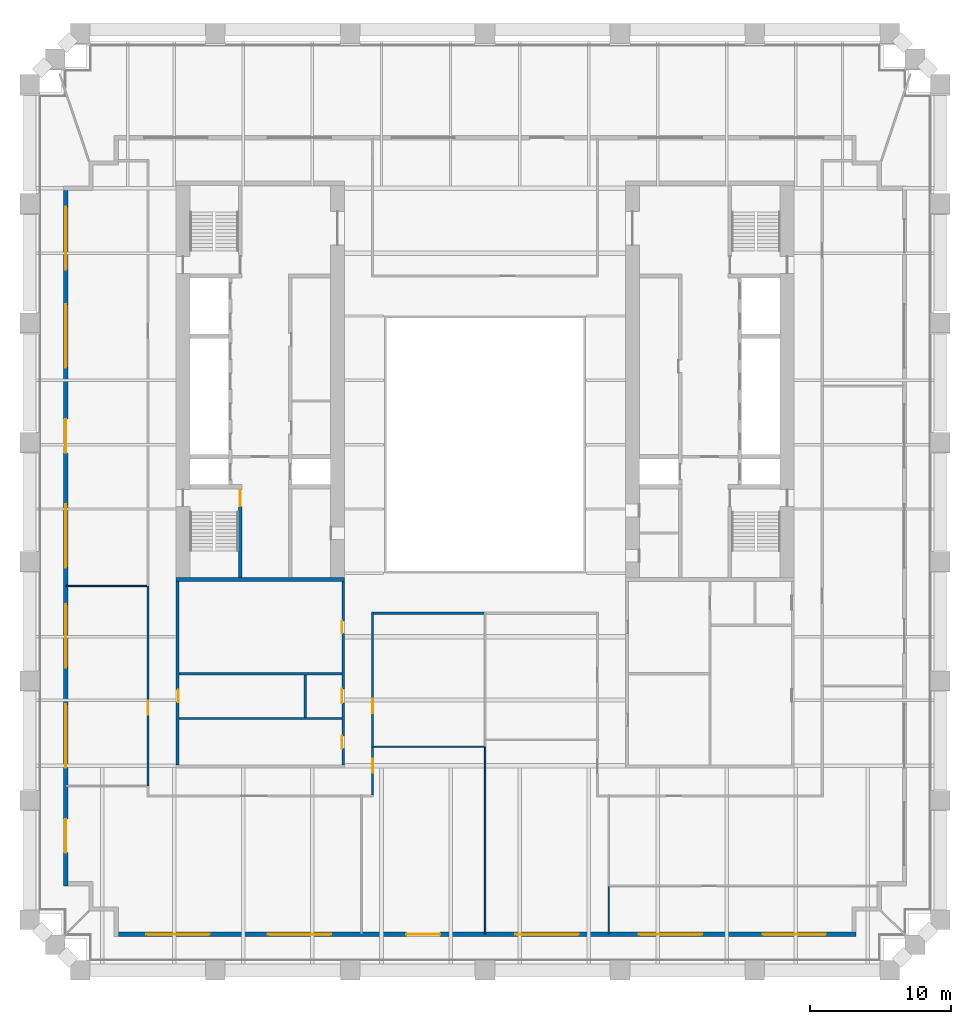
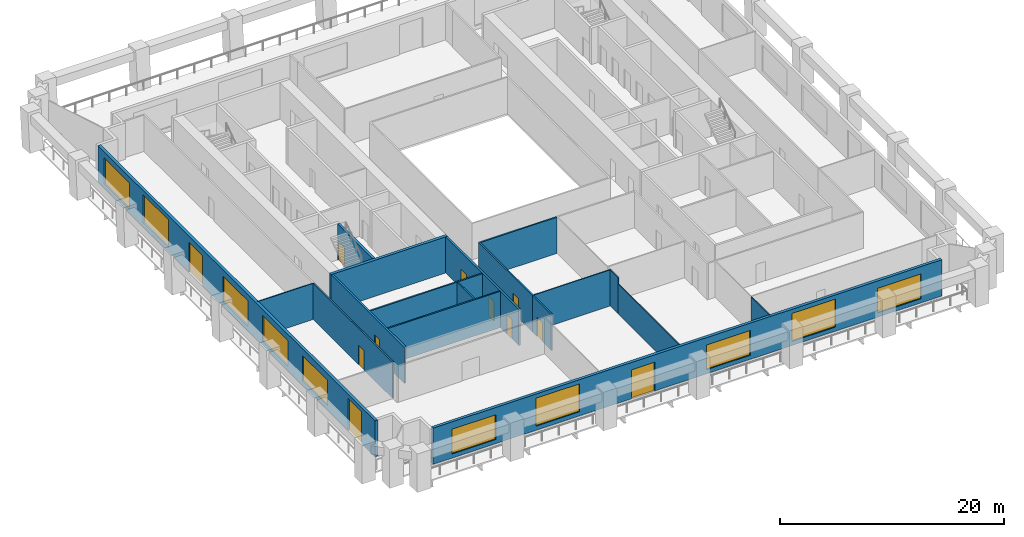
# One storey, part 3 of 9: 18 walls, 11 doors, 10 windows, 21 openings.
"""IFC4 building model written with IfcOpenShell, lengths in metres."""

from ifc_helpers import new_model, si_unit, direction, frame, frame_2d, origin, place, context, subcontext, project, spatial, rectangle, extrude, material, layer, layer_set, type_object, element, fill, save


model = new_model("IFC4")

# Units and contexts
model_context = context("Model", 3, precision=1e-05, world=origin(), true_north=direction((0.0, 1.0)))
body_context = subcontext(model_context, "Body", "Model", "MODEL_VIEW")
ifc_project = project(units=[si_unit("LENGTHUNIT", "METRE"), si_unit("AREAUNIT", "SQUARE_METRE"), si_unit("VOLUMEUNIT", "CUBIC_METRE"), si_unit("PLANEANGLEUNIT", "RADIAN"), si_unit("MASSUNIT", "GRAM", prefix="KILO")], contexts=[model_context])

# Site, building, storey
site_placement = place(None, origin())
site = spatial("IfcSite", under=ifc_project, at=site_placement, CompositionType="ELEMENT")
building_placement = place(site_placement, origin())
building = spatial("IfcBuilding", under=site, at=building_placement, Name="Ogive Exchange Tower", CompositionType="ELEMENT")
storey_placement = place(building_placement, frame((0.0, 0.0, 85.800048828125)))
storey = spatial("IfcBuildingStorey", under=building, at=storey_placement, Name="L18", CompositionType="ELEMENT", Elevation=85.800048828125)

# Walls
ifc_material_1 = material(Name="Gypsum board partition")
ifc_layer_1 = layer(ifc_material_1, 0.14990234375)
ifc_layer_set_1 = layer_set([ifc_layer_1], Name="Core room partition 150 gypsum")
wall_type_1 = type_object("IfcWallType", Name="Core room partition 150 gypsum", PredefinedType="PARTITIONING", material=ifc_layer_set_1)
for number, where, z_axis, x_axis, name in (
    (1, (-21.800048828125, -9.300048828125, 0.0), (0.0, 0.0, 1.0), (1.0, 0.0, 0.0), "W annex S cross wall"),
    (2, (-21.800048828125, -12.47509765625, 0.0), (0.0, 0.0, 1.0), (1.0, 0.0, 0.0), "W annex S wc strip wall 00"),
):
    element("IfcWall", number, at=place(storey_placement, frame(where, z_axis=z_axis, x_axis=x_axis)), inside=storey, type_object=wall_type_1, Name=name, PredefinedType="PARTITIONING", context=body_context, shape_type="SweptSolid", body=[
        extrude(rectangle(XDim=11.60009765625, YDim=0.14990234375, at=frame_2d((5.800048828125, 0.0))), origin(), (0.0, 0.0, 1.0), 3.949951171875),
    ])
wall_1_placement = place(storey_placement, frame((-12.800048828125, -12.39990234375, 0.0), z_axis=(0.0, 0.0, 1.0), x_axis=(0.0, 1.0, 0.0)))
element("IfcWall", 3, at=wall_1_placement, inside=storey, type_object=wall_type_1, Name="W annex S wc partition 00", PredefinedType="PARTITIONING", context=body_context, shape_type="SweptSolid", body=[
    extrude(rectangle(XDim=3.02490234375, YDim=0.14990234375, at=frame_2d((1.512451171875, 0.0))), origin(), (0.0, 0.0, 1.0), 3.949951171875),
])

# Wall, opening, door
ifc_material_2 = material(Name="Fire partition EI 60 150")
ifc_layer_2 = layer(ifc_material_2, 0.14990234375)
ifc_layer_set_2 = layer_set([ifc_layer_2], Name="Fire partition EI 60 150")
wall_type_2 = type_object("IfcWallType", Name="Fire partition EI 60 150", PredefinedType="PARTITIONING", material=ifc_layer_set_2)
wall_2_placement = place(storey_placement, frame((-24.0, -17.2900390625, 0.0), z_axis=(0.0, 0.0, 1.0), x_axis=(0.0, 1.0, 0.0)))
wall_2 = element("IfcWall", 4, at=wall_2_placement, inside=storey, type_object=wall_type_2, Name="L18-PWL-003", PredefinedType="PARTITIONING", context=body_context, shape_type="SweptSolid", body=[
    extrude(rectangle(XDim=14.22998046875, YDim=0.14990234375, at=frame_2d((7.114990234375, 0.0))), origin(), (0.0, 0.0, 1.0), 3.949951171875),
])
opening_1_placement = place(wall_2_placement, frame((5.080078125, 0.0, 0.0)))
opening_1 = element("IfcOpeningElement", 5, at=opening_1_placement, cuts=wall_2, Name="Opening L18-I11", PredefinedType="OPENING", context=body_context, shape_type="SweptSolid", body=[
    extrude(rectangle(XDim=1.0, YDim=2.10009765625, at=frame_2d((0.5, 1.050048828125))), frame((0.0, 0.0849609375, 0.0), z_axis=(0.0, -1.0, 0.0), x_axis=(1.0, 0.0, 0.0)), (0.0, 0.0, 1.0), 0.169921875),
])
ifc_material_3 = material(Name="Fire door FD 30S 1000 x 2100")
door_type_1 = type_object("IfcDoorType", Name="Fire door FD 30S 1000 x 2100", OperationType="NOTDEFINED", PredefinedType="DOOR", material=ifc_material_3)
door_1_placement = place(opening_1_placement, origin())
door_1 = element("IfcDoor", 6, at=door_1_placement, inside=storey, type_object=door_type_1, Name="L18-IDR-011", ObjectType="DT3", OperationType="SINGLE_SWING_RIGHT", OverallHeight=2.10009765625, OverallWidth=1.0, PredefinedType="DOOR", context=body_context, shape_type="SweptSolid", body=[
    extrude(rectangle(XDim=1.0, YDim=2.10009765625, at=frame_2d((0.5, 1.050048828125))), frame((0.0, 0.02490234375, 0.0), z_axis=(0.0, -1.0, 0.0), x_axis=(1.0, 0.0, 0.0)), (0.0, 0.0, 1.0), 0.050048828125),
])
fill(opening_1, door_1)

wall_3_placement = place(storey_placement, frame((-8.0, -14.550048828125, 0.0), z_axis=(0.0, 0.0, 1.0), x_axis=(0.0, -1.0, 0.0)))
wall_3 = element("IfcWall", 7, at=wall_3_placement, inside=storey, type_object=wall_type_2, Name="L18-PWL-011", PredefinedType="PARTITIONING", context=body_context, shape_type="SweptSolid", body=[
    extrude(rectangle(XDim=3.375, YDim=0.14990234375, at=frame_2d((1.6875, 0.0))), origin(), (0.0, 0.0, 1.0), 3.949951171875),
])
opening_2_placement = place(wall_3_placement, frame((0.800048828125, 0.0, 0.0)))
opening_2 = element("IfcOpeningElement", 8, at=opening_2_placement, cuts=wall_3, Name="Opening L18-I08", PredefinedType="OPENING", context=body_context, shape_type="SweptSolid", body=[
    extrude(rectangle(XDim=1.0, YDim=2.10009765625, at=frame_2d((0.5, 1.050048828125))), frame((0.0, 0.0849609375, 0.0), z_axis=(0.0, -1.0, 0.0), x_axis=(1.0, 0.0, 0.0)), (0.0, 0.0, 1.0), 0.169921875),
])
door_2_placement = place(opening_2_placement, origin())
door_2 = element("IfcDoor", 9, at=door_2_placement, inside=storey, type_object=door_type_1, Name="L18-IDR-008", ObjectType="DT3", OperationType="SINGLE_SWING_RIGHT", OverallHeight=2.10009765625, OverallWidth=1.0, PredefinedType="DOOR", context=body_context, shape_type="SweptSolid", body=[
    extrude(rectangle(XDim=1.0, YDim=2.10009765625, at=frame_2d((0.5, 1.050048828125))), frame((0.0, 0.02490234375, 0.0), z_axis=(0.0, -1.0, 0.0), x_axis=(1.0, 0.0, 0.0)), (0.0, 0.0, 1.0), 0.050048828125),
])
fill(opening_2, door_2)

wall_4_placement = place(storey_placement, frame((-8.0, -4.925048828125, 0.0), z_axis=(0.0, 0.0, 1.0), x_axis=(0.0, -1.0, 0.0)))
wall_4 = element("IfcWall", 10, at=wall_4_placement, inside=storey, type_object=wall_type_2, Name="L18-PWL-012", PredefinedType="PARTITIONING", context=body_context, shape_type="SweptSolid", body=[
    extrude(rectangle(XDim=9.625, YDim=0.14990234375, at=frame_2d((4.8125, 0.0))), origin(), (0.0, 0.0, 1.0), 3.949951171875),
])
opening_3_placement = place(wall_4_placement, frame((6.175048828125, 0.0, 0.0)))
opening_3 = element("IfcOpeningElement", 11, at=opening_3_placement, cuts=wall_4, Name="Opening L18-I07", PredefinedType="OPENING", context=body_context, shape_type="SweptSolid", body=[
    extrude(rectangle(XDim=1.0, YDim=2.10009765625, at=frame_2d((0.5, 1.050048828125))), frame((0.0, 0.0849609375, 0.0), z_axis=(0.0, -1.0, 0.0), x_axis=(1.0, 0.0, 0.0)), (0.0, 0.0, 1.0), 0.169921875),
])
door_3_placement = place(opening_3_placement, origin())
door_3 = element("IfcDoor", 12, at=door_3_placement, inside=storey, type_object=door_type_1, Name="L18-IDR-007", ObjectType="DT3", OperationType="SINGLE_SWING_LEFT", OverallHeight=2.10009765625, OverallWidth=1.0, PredefinedType="DOOR", context=body_context, shape_type="SweptSolid", body=[
    extrude(rectangle(XDim=1.0, YDim=2.10009765625, at=frame_2d((0.5, 1.050048828125))), frame((0.0, 0.02490234375, 0.0), z_axis=(0.0, -1.0, 0.0), x_axis=(1.0, 0.0, 0.0)), (0.0, 0.0, 1.0), 0.050048828125),
])
fill(opening_3, door_3)

# Wall
wall_5_placement = place(storey_placement, frame((-0.050048828125, -5.0, 0.0), z_axis=(0.0, 0.0, 1.0), x_axis=(-1.0, 0.0, 0.0)))
element("IfcWall", 13, at=wall_5_placement, inside=storey, type_object=wall_type_2, Name="L18-PWL-020", PredefinedType="PARTITIONING", context=body_context, shape_type="SweptSolid", body=[
    extrude(rectangle(XDim=7.875, YDim=0.14990234375, at=frame_2d((3.9375, 0.0))), origin(), (0.0, 0.0, 1.0), 3.949951171875),
])

# Wall, openings, door, windows
ifc_material_4 = material(Name="Precast concrete C40/50", Category="concrete")
ifc_layer_3 = layer(ifc_material_4, 0.300048828125)
ifc_layer_set_3 = layer_set([ifc_layer_3], Name="Limestone-faced wall 300")
wall_type_3 = type_object("IfcWallType", Name="Limestone-faced wall 300", PredefinedType="STANDARD", material=ifc_layer_set_3)
wall_6_placement = place(storey_placement, frame((-26.10009765625, -27.85009765625, 0.0), z_axis=(0.0, 0.0, 1.0), x_axis=(1.0, 0.0, 0.0)))
wall_6 = element("IfcWall", 14, at=wall_6_placement, inside=storey, type_object=wall_type_3, Name="External wall S1", PredefinedType="STANDARD", context=body_context, shape_type="SweptSolid", body=[
    extrude(rectangle(XDim=52.5, YDim=0.300048828125, at=frame_2d((26.25, 0.0))), origin(), (0.0, 0.0, 1.0), 3.949951171875),
])
opening_4_placement = place(wall_6_placement, frame((2.0, 0.0, 0.449951171875)))
opening_4 = element("IfcOpeningElement", 15, at=opening_4_placement, cuts=wall_6, Name="Opening W1I", PredefinedType="OPENING", context=body_context, shape_type="SweptSolid", body=[
    extrude(rectangle(XDim=4.5, YDim=2.699951171875, at=frame_2d((2.25, 1.35009765625))), frame((0.0, 0.159912109375, 0.0), z_axis=(0.0, -1.0, 0.0), x_axis=(1.0, 0.0, 0.0)), (0.0, 0.0, 1.0), 0.320068359375),
])
opening_5_placement = place(wall_6_placement, frame((10.64990234375, 0.0, 0.449951171875)))
opening_5 = element("IfcOpeningElement", 16, at=opening_5_placement, cuts=wall_6, Name="Opening W1", PredefinedType="OPENING", context=body_context, shape_type="SweptSolid", body=[
    extrude(rectangle(XDim=4.5, YDim=3.050048828125, at=frame_2d((2.25, 1.52490234375))), frame((0.0, 0.159912109375, 0.0), z_axis=(0.0, -1.0, 0.0), x_axis=(1.0, 0.0, 0.0)), (0.0, 0.0, 1.0), 0.320068359375),
])
opening_6_placement = place(wall_6_placement, frame((20.5, 0.0, 0.0)))
opening_6 = element("IfcOpeningElement", 17, at=opening_6_placement, cuts=wall_6, Name="Opening D1I", PredefinedType="OPENING", context=body_context, shape_type="SweptSolid", body=[
    extrude(rectangle(XDim=2.39990234375, YDim=3.14990234375, at=frame_2d((1.199951171875, 1.574951171875))), frame((0.0, 0.159912109375, 0.0), z_axis=(0.0, -1.0, 0.0), x_axis=(1.0, 0.0, 0.0)), (0.0, 0.0, 1.0), 0.320068359375),
])
opening_7_placement = place(wall_6_placement, frame((28.25, 0.0, 0.449951171875)))
opening_7 = element("IfcOpeningElement", 18, at=opening_7_placement, cuts=wall_6, Name="Opening W1I", PredefinedType="OPENING", context=body_context, shape_type="SweptSolid", body=[
    extrude(rectangle(XDim=4.5, YDim=2.699951171875, at=frame_2d((2.25, 1.35009765625))), frame((0.0, 0.159912109375, 0.0), z_axis=(0.0, -1.0, 0.0), x_axis=(1.0, 0.0, 0.0)), (0.0, 0.0, 1.0), 0.320068359375),
])
opening_8_placement = place(wall_6_placement, frame((37.050048828125, 0.0, 0.449951171875)))
opening_8 = element("IfcOpeningElement", 19, at=opening_8_placement, cuts=wall_6, Name="Opening W1", PredefinedType="OPENING", context=body_context, shape_type="SweptSolid", body=[
    extrude(rectangle(XDim=4.5, YDim=3.050048828125, at=frame_2d((2.25, 1.52490234375))), frame((0.0, 0.159912109375, 0.0), z_axis=(0.0, -1.0, 0.0), x_axis=(1.0, 0.0, 0.0)), (0.0, 0.0, 1.0), 0.320068359375),
])
opening_9_placement = place(wall_6_placement, frame((45.85009765625, 0.0, 0.449951171875)))
opening_9 = element("IfcOpeningElement", 20, at=opening_9_placement, cuts=wall_6, Name="Opening W1I", PredefinedType="OPENING", context=body_context, shape_type="SweptSolid", body=[
    extrude(rectangle(XDim=4.5, YDim=2.699951171875, at=frame_2d((2.25, 1.35009765625))), frame((0.0, 0.159912109375, 0.0), z_axis=(0.0, -1.0, 0.0), x_axis=(1.0, 0.0, 0.0)), (0.0, 0.0, 1.0), 0.320068359375),
])
ifc_material_5 = material(Name="Clear glass in bronze frame", Category="glass")
door_type_2 = type_object("IfcDoorType", Name="Sliding loggia door 2400 x 3150", OperationType="DOUBLE_DOOR_SLIDING", PredefinedType="DOOR", material=ifc_material_5)
door_4_placement = place(opening_6_placement, origin())
door_4 = element("IfcDoor", 21, at=door_4_placement, inside=storey, type_object=door_type_2, Name="Loggia door S02", OperationType="DOUBLE_DOOR_SLIDING", OverallHeight=3.14990234375, OverallWidth=2.39990234375, PredefinedType="DOOR", context=body_context, shape_type="SweptSolid", body=[
    extrude(rectangle(XDim=2.39990234375, YDim=3.14990234375, at=frame_2d((1.199951171875, 1.574951171875))), frame((0.0, 0.02490234375, 0.0), z_axis=(0.0, -1.0, 0.0), x_axis=(1.0, 0.0, 0.0)), (0.0, 0.0, 1.0), 0.050048828125),
])
fill(opening_6, door_4)
window_type_1 = type_object("IfcWindowType", Name="Twin lancet window 4500 x 2700", PartitioningType="DOUBLE_PANEL_VERTICAL", PredefinedType="WINDOW", material=ifc_material_5)
window_1_placement = place(opening_4_placement, origin())
window_1 = element("IfcWindow", 22, at=window_1_placement, inside=storey, type_object=window_type_1, Name="Window S00", OverallHeight=2.699951171875, OverallWidth=4.5, PartitioningType="DOUBLE_PANEL_VERTICAL", PredefinedType="WINDOW", context=body_context, shape_type="SweptSolid", body=[
    extrude(rectangle(XDim=4.5, YDim=2.699951171875, at=frame_2d((2.25, 1.35009765625))), frame((0.0, 0.030029296875, 0.0), z_axis=(0.0, -1.0, 0.0), x_axis=(1.0, 0.0, 0.0)), (0.0, 0.0, 1.0), 0.06005859375),
])
fill(opening_4, window_1)
window_2_placement = place(opening_7_placement, origin())
window_2 = element("IfcWindow", 23, at=window_2_placement, inside=storey, type_object=window_type_1, Name="Window S03", OverallHeight=2.699951171875, OverallWidth=4.5, PartitioningType="DOUBLE_PANEL_VERTICAL", PredefinedType="WINDOW", context=body_context, shape_type="SweptSolid", body=[
    extrude(rectangle(XDim=4.5, YDim=2.699951171875, at=frame_2d((2.25, 1.35009765625))), frame((0.0, 0.030029296875, 0.0), z_axis=(0.0, -1.0, 0.0), x_axis=(1.0, 0.0, 0.0)), (0.0, 0.0, 1.0), 0.06005859375),
])
fill(opening_7, window_2)
window_3_placement = place(opening_9_placement, origin())
window_3 = element("IfcWindow", 24, at=window_3_placement, inside=storey, type_object=window_type_1, Name="Window S05", OverallHeight=2.699951171875, OverallWidth=4.5, PartitioningType="DOUBLE_PANEL_VERTICAL", PredefinedType="WINDOW", context=body_context, shape_type="SweptSolid", body=[
    extrude(rectangle(XDim=4.5, YDim=2.699951171875, at=frame_2d((2.25, 1.35009765625))), frame((0.0, 0.030029296875, 0.0), z_axis=(0.0, -1.0, 0.0), x_axis=(1.0, 0.0, 0.0)), (0.0, 0.0, 1.0), 0.06005859375),
])
fill(opening_9, window_3)
window_type_2 = type_object("IfcWindowType", Name="Twin lancet window 4500 x 3050", PartitioningType="DOUBLE_PANEL_VERTICAL", PredefinedType="WINDOW", material=ifc_material_5)
window_4_placement = place(opening_5_placement, origin())
window_4 = element("IfcWindow", 25, at=window_4_placement, inside=storey, type_object=window_type_2, Name="Window S01", OverallHeight=3.050048828125, OverallWidth=4.5, PartitioningType="DOUBLE_PANEL_VERTICAL", PredefinedType="WINDOW", context=body_context, shape_type="SweptSolid", body=[
    extrude(rectangle(XDim=4.5, YDim=3.050048828125, at=frame_2d((2.25, 1.52490234375))), frame((0.0, 0.030029296875, 0.0), z_axis=(0.0, -1.0, 0.0), x_axis=(1.0, 0.0, 0.0)), (0.0, 0.0, 1.0), 0.06005859375),
])
fill(opening_5, window_4)
window_5_placement = place(opening_8_placement, origin())
window_5 = element("IfcWindow", 26, at=window_5_placement, inside=storey, type_object=window_type_2, Name="Window S04", OverallHeight=3.050048828125, OverallWidth=4.5, PartitioningType="DOUBLE_PANEL_VERTICAL", PredefinedType="WINDOW", context=body_context, shape_type="SweptSolid", body=[
    extrude(rectangle(XDim=4.5, YDim=3.050048828125, at=frame_2d((2.25, 1.52490234375))), frame((0.0, 0.030029296875, 0.0), z_axis=(0.0, -1.0, 0.0), x_axis=(1.0, 0.0, 0.0)), (0.0, 0.0, 1.0), 0.06005859375),
])
fill(opening_8, window_5)

# Wall, openings, doors, windows
wall_7_placement = place(storey_placement, frame((-29.85009765625, 25.10009765625, 0.0), z_axis=(0.0, 0.0, 1.0), x_axis=(0.0, -1.0, 0.0)))
wall_7 = element("IfcWall", 27, at=wall_7_placement, inside=storey, type_object=wall_type_3, Name="External wall W4", PredefinedType="STANDARD", context=body_context, shape_type="SweptSolid", body=[
    extrude(rectangle(XDim=49.5, YDim=0.300048828125, at=frame_2d((24.75, 0.0))), origin(), (0.0, 0.0, 1.0), 3.949951171875),
])
opening_10_placement = place(wall_7_placement, frame((1.156982421875, 0.0, 0.449951171875)))
opening_10 = element("IfcOpeningElement", 28, at=opening_10_placement, cuts=wall_7, Name="Opening W1E", PredefinedType="OPENING", context=body_context, shape_type="SweptSolid", body=[
    extrude(rectangle(XDim=4.5, YDim=2.824951171875, at=frame_2d((2.25, 1.41259765625))), frame((0.0, 0.159912109375, 0.0), z_axis=(0.0, -1.0, 0.0), x_axis=(1.0, 0.0, 0.0)), (0.0, 0.0, 1.0), 0.320068359375),
])
opening_11_placement = place(wall_7_placement, frame((8.121337890625, 0.0, 0.449951171875)))
opening_11 = element("IfcOpeningElement", 29, at=opening_11_placement, cuts=wall_7, Name="Opening W1", PredefinedType="OPENING", context=body_context, shape_type="SweptSolid", body=[
    extrude(rectangle(XDim=4.5, YDim=3.050048828125, at=frame_2d((2.25, 1.52490234375))), frame((0.0, 0.159912109375, 0.0), z_axis=(0.0, -1.0, 0.0), x_axis=(1.0, 0.0, 0.0)), (0.0, 0.0, 1.0), 0.320068359375),
])
opening_12_placement = place(wall_7_placement, frame((16.28564453125, 0.0, 0.0)))
opening_12 = element("IfcOpeningElement", 30, at=opening_12_placement, cuts=wall_7, Name="Opening D1E", PredefinedType="OPENING", context=body_context, shape_type="SweptSolid", body=[
    extrude(rectangle(XDim=2.39990234375, YDim=3.27490234375, at=frame_2d((1.199951171875, 1.637451171875))), frame((0.0, 0.159912109375, 0.0), z_axis=(0.0, -1.0, 0.0), x_axis=(1.0, 0.0, 0.0)), (0.0, 0.0, 1.0), 0.320068359375),
])
opening_13_placement = place(wall_7_placement, frame((22.35009765625, 0.0, 0.449951171875)))
opening_13 = element("IfcOpeningElement", 31, at=opening_13_placement, cuts=wall_7, Name="Opening W1E", PredefinedType="OPENING", context=body_context, shape_type="SweptSolid", body=[
    extrude(rectangle(XDim=4.5, YDim=2.824951171875, at=frame_2d((2.25, 1.41259765625))), frame((0.0, 0.159912109375, 0.0), z_axis=(0.0, -1.0, 0.0), x_axis=(1.0, 0.0, 0.0)), (0.0, 0.0, 1.0), 0.320068359375),
])
opening_14_placement = place(wall_7_placement, frame((29.464111328125, 0.0, 0.449951171875)))
opening_14 = element("IfcOpeningElement", 32, at=opening_14_placement, cuts=wall_7, Name="Opening W1E", PredefinedType="OPENING", context=body_context, shape_type="SweptSolid", body=[
    extrude(rectangle(XDim=4.5, YDim=2.824951171875, at=frame_2d((2.25, 1.41259765625))), frame((0.0, 0.159912109375, 0.0), z_axis=(0.0, -1.0, 0.0), x_axis=(1.0, 0.0, 0.0)), (0.0, 0.0, 1.0), 0.320068359375),
])
opening_15_placement = place(wall_7_placement, frame((36.57861328125, 0.0, 0.449951171875)))
opening_15 = element("IfcOpeningElement", 33, at=opening_15_placement, cuts=wall_7, Name="Opening W1G", PredefinedType="OPENING", context=body_context, shape_type="SweptSolid", body=[
    extrude(rectangle(XDim=4.5, YDim=2.77490234375, at=frame_2d((2.25, 1.387451171875))), frame((0.0, 0.159912109375, 0.0), z_axis=(0.0, -1.0, 0.0), x_axis=(1.0, 0.0, 0.0)), (0.0, 0.0, 1.0), 0.320068359375),
])
opening_16_placement = place(wall_7_placement, frame((44.742919921875, 0.0, 0.0)))
opening_16 = element("IfcOpeningElement", 34, at=opening_16_placement, cuts=wall_7, Name="Opening D1", PredefinedType="OPENING", context=body_context, shape_type="SweptSolid", body=[
    extrude(rectangle(XDim=2.39990234375, YDim=3.5, at=frame_2d((1.199951171875, 1.75))), frame((0.0, 0.159912109375, 0.0), z_axis=(0.0, -1.0, 0.0), x_axis=(1.0, 0.0, 0.0)), (0.0, 0.0, 1.0), 0.320068359375),
])
door_type_3 = type_object("IfcDoorType", Name="Sliding loggia door 2400 x 3275", OperationType="DOUBLE_DOOR_SLIDING", PredefinedType="DOOR", material=ifc_material_5)
door_5_placement = place(opening_12_placement, origin())
door_5 = element("IfcDoor", 35, at=door_5_placement, inside=storey, type_object=door_type_3, Name="Loggia door W02", OperationType="DOUBLE_DOOR_SLIDING", OverallHeight=3.27490234375, OverallWidth=2.39990234375, PredefinedType="DOOR", context=body_context, shape_type="SweptSolid", body=[
    extrude(rectangle(XDim=2.39990234375, YDim=3.27490234375, at=frame_2d((1.199951171875, 1.637451171875))), frame((0.0, 0.02490234375, 0.0), z_axis=(0.0, -1.0, 0.0), x_axis=(1.0, 0.0, 0.0)), (0.0, 0.0, 1.0), 0.050048828125),
])
fill(opening_12, door_5)
door_type_4 = type_object("IfcDoorType", Name="Sliding loggia door 2400 x 3500", OperationType="DOUBLE_DOOR_SLIDING", PredefinedType="DOOR", material=ifc_material_5)
door_6_placement = place(opening_16_placement, origin())
door_6 = element("IfcDoor", 36, at=door_6_placement, inside=storey, type_object=door_type_4, Name="Loggia door W06", OperationType="DOUBLE_DOOR_SLIDING", OverallHeight=3.5, OverallWidth=2.39990234375, PredefinedType="DOOR", context=body_context, shape_type="SweptSolid", body=[
    extrude(rectangle(XDim=2.39990234375, YDim=3.5, at=frame_2d((1.199951171875, 1.75))), frame((0.0, 0.02490234375, 0.0), z_axis=(0.0, -1.0, 0.0), x_axis=(1.0, 0.0, 0.0)), (0.0, 0.0, 1.0), 0.050048828125),
])
fill(opening_16, door_6)
window_type_3 = type_object("IfcWindowType", Name="Twin lancet window 4500 x 2775", PartitioningType="DOUBLE_PANEL_VERTICAL", PredefinedType="WINDOW", material=ifc_material_5)
window_6_placement = place(opening_15_placement, origin())
window_6 = element("IfcWindow", 37, at=window_6_placement, inside=storey, type_object=window_type_3, Name="Window W05", OverallHeight=2.77490234375, OverallWidth=4.5, PartitioningType="DOUBLE_PANEL_VERTICAL", PredefinedType="WINDOW", context=body_context, shape_type="SweptSolid", body=[
    extrude(rectangle(XDim=4.5, YDim=2.77490234375, at=frame_2d((2.25, 1.387451171875))), frame((0.0, 0.030029296875, 0.0), z_axis=(0.0, -1.0, 0.0), x_axis=(1.0, 0.0, 0.0)), (0.0, 0.0, 1.0), 0.06005859375),
])
fill(opening_15, window_6)
window_type_4 = type_object("IfcWindowType", Name="Twin lancet window 4500 x 2825", PartitioningType="DOUBLE_PANEL_VERTICAL", PredefinedType="WINDOW", material=ifc_material_5)
window_7_placement = place(opening_10_placement, origin())
window_7 = element("IfcWindow", 38, at=window_7_placement, inside=storey, type_object=window_type_4, Name="Window W00", OverallHeight=2.824951171875, OverallWidth=4.5, PartitioningType="DOUBLE_PANEL_VERTICAL", PredefinedType="WINDOW", context=body_context, shape_type="SweptSolid", body=[
    extrude(rectangle(XDim=4.5, YDim=2.824951171875, at=frame_2d((2.25, 1.41259765625))), frame((0.0, 0.030029296875, 0.0), z_axis=(0.0, -1.0, 0.0), x_axis=(1.0, 0.0, 0.0)), (0.0, 0.0, 1.0), 0.06005859375),
])
fill(opening_10, window_7)
window_8_placement = place(opening_13_placement, origin())
window_8 = element("IfcWindow", 39, at=window_8_placement, inside=storey, type_object=window_type_4, Name="Window W03", OverallHeight=2.824951171875, OverallWidth=4.5, PartitioningType="DOUBLE_PANEL_VERTICAL", PredefinedType="WINDOW", context=body_context, shape_type="SweptSolid", body=[
    extrude(rectangle(XDim=4.5, YDim=2.824951171875, at=frame_2d((2.25, 1.41259765625))), frame((0.0, 0.030029296875, 0.0), z_axis=(0.0, -1.0, 0.0), x_axis=(1.0, 0.0, 0.0)), (0.0, 0.0, 1.0), 0.06005859375),
])
fill(opening_13, window_8)
window_9_placement = place(opening_14_placement, origin())
window_9 = element("IfcWindow", 40, at=window_9_placement, inside=storey, type_object=window_type_4, Name="Window W04", OverallHeight=2.824951171875, OverallWidth=4.5, PartitioningType="DOUBLE_PANEL_VERTICAL", PredefinedType="WINDOW", context=body_context, shape_type="SweptSolid", body=[
    extrude(rectangle(XDim=4.5, YDim=2.824951171875, at=frame_2d((2.25, 1.41259765625))), frame((0.0, 0.030029296875, 0.0), z_axis=(0.0, -1.0, 0.0), x_axis=(1.0, 0.0, 0.0)), (0.0, 0.0, 1.0), 0.06005859375),
])
fill(opening_14, window_9)
window_10_placement = place(opening_11_placement, origin())
window_10 = element("IfcWindow", 41, at=window_10_placement, inside=storey, type_object=window_type_2, Name="Window W01", OverallHeight=3.050048828125, OverallWidth=4.5, PartitioningType="DOUBLE_PANEL_VERTICAL", PredefinedType="WINDOW", context=body_context, shape_type="SweptSolid", body=[
    extrude(rectangle(XDim=4.5, YDim=3.050048828125, at=frame_2d((2.25, 1.52490234375))), frame((0.0, 0.030029296875, 0.0), z_axis=(0.0, -1.0, 0.0), x_axis=(1.0, 0.0, 0.0)), (0.0, 0.0, 1.0), 0.06005859375),
])
fill(opening_11, window_10)

# Walls
ifc_material_6 = material(Name="Partition 100 gypsum")
ifc_layer_4 = layer(ifc_material_6, 0.10009765625)
ifc_layer_set_4 = layer_set([ifc_layer_4], Name="Partition 100 gypsum")
wall_type_4 = type_object("IfcWallType", Name="Partition 100 gypsum", PredefinedType="PARTITIONING", material=ifc_layer_set_4)
wall_8_placement = place(storey_placement, frame((-24.074951171875, -3.06005859375, 0.0), z_axis=(0.0, 0.0, 1.0), x_axis=(-1.0, 0.0, 0.0)))
element("IfcWall", 42, at=wall_8_placement, inside=storey, type_object=wall_type_4, Name="L18-PWL-004", PredefinedType="PARTITIONING", context=body_context, shape_type="SweptSolid", body=[
    extrude(rectangle(XDim=5.72509765625, YDim=0.10009765625, at=frame_2d((2.862548828125, 0.0))), origin(), (0.0, 0.0, 1.0), 3.949951171875),
])
wall_9_placement = place(storey_placement, frame((0.0, -27.800048828125, 0.0), z_axis=(0.0, 0.0, 1.0), x_axis=(0.0, 1.0, 0.0)))
element("IfcWall", 43, at=wall_9_placement, inside=storey, type_object=wall_type_4, Name="L18-PWL-015", PredefinedType="PARTITIONING", context=body_context, shape_type="SweptSolid", body=[
    extrude(rectangle(XDim=11.804931640625, YDim=0.10009765625, at=frame_2d((5.90234375, 0.0))), origin(), (0.0, 0.0, 1.0), 3.27197265625),
])
wall_10_placement = place(storey_placement, frame((-0.050048828125, -14.5, 0.0), z_axis=(0.0, 0.0, 1.0), x_axis=(-1.0, 0.0, 0.0)))
element("IfcWall", 44, at=wall_10_placement, inside=storey, type_object=wall_type_4, Name="L18-PWL-016", PredefinedType="PARTITIONING", context=body_context, shape_type="SweptSolid", body=[
    extrude(rectangle(XDim=7.875, YDim=0.10009765625, at=frame_2d((3.9375, 0.0))), origin(), (0.0, 0.0, 1.0), 3.949951171875),
])
wall_11_placement = place(storey_placement, frame((8.800048828125, -27.800048828125, 0.0), z_axis=(0.0, 0.0, 1.0), x_axis=(0.0, 1.0, 0.0)))
element("IfcWall", 45, at=wall_11_placement, inside=storey, type_object=wall_type_4, Name="L18-PWL-026", PredefinedType="PARTITIONING", context=body_context, shape_type="SweptSolid", body=[
    extrude(rectangle(XDim=3.35009765625, YDim=0.10009765625, at=frame_2d((1.675048828125, 0.0))), origin(), (0.0, 0.0, 1.0), 3.949951171875),
])
wall_12_placement = place(storey_placement, frame((0.0, -15.9951171875, 0.0), z_axis=(0.0, 0.0, 1.0), x_axis=(0.0, 1.0, 0.0)))
element("IfcWall", 46, at=wall_12_placement, inside=storey, type_object=wall_type_4, Name="L18-PWL-015", PredefinedType="PARTITIONING", context=body_context, shape_type="SweptSolid", body=[
    extrude(rectangle(XDim=1.545166015625, YDim=0.10009765625, at=frame_2d((0.7724609375, 0.0))), origin(), (0.0, 0.0, 1.0), 3.949951171875),
])

# Wall, opening, door
ifc_material_7 = material(Name="Concrete C70/85", Category="concrete")
ifc_layer_5 = layer(ifc_material_7, 0.199951171875)
ifc_layer_set_5 = layer_set([ifc_layer_5], Name="RC core wall 200 C70/85")
wall_type_5 = type_object("IfcWallType", Name="RC core wall 200 C70/85", PredefinedType="SHEAR", material=ifc_layer_set_5)
wall_13_placement = place(storey_placement, frame((-21.89990234375, -15.800048828125, 0.0), z_axis=(0.0, 0.0, 1.0), x_axis=(0.0, 1.0, 0.0)))
wall_13 = element("IfcWall", 47, at=wall_13_placement, inside=storey, type_object=wall_type_5, Name="W annex S outer wall", PredefinedType="SHEAR", context=body_context, shape_type="SweptSolid", body=[
    extrude(rectangle(XDim=13.050048828125, YDim=0.199951171875, at=frame_2d((6.52490234375, 0.0))), origin(), (0.0, 0.0, 1.0), 3.949951171875),
])
opening_17_placement = place(wall_13_placement, frame((4.46240234375, 0.0, 0.0)))
opening_17 = element("IfcOpeningElement", 48, at=opening_17_placement, cuts=wall_13, Name="Opening L18-C20", PredefinedType="OPENING", context=body_context, shape_type="SweptSolid", body=[
    extrude(rectangle(XDim=0.89990234375, YDim=2.10009765625, at=frame_2d((0.449951171875, 1.050048828125))), frame((0.0, 0.10986328125, 0.0), z_axis=(0.0, -1.0, 0.0), x_axis=(1.0, 0.0, 0.0)), (0.0, 0.0, 1.0), 0.219970703125),
])
ifc_material_8 = material(Name="Steel fire door", Category="steel")
door_type_5 = type_object("IfcDoorType", Name="Riser door FD60 900 x 2100", OperationType="NOTDEFINED", PredefinedType="DOOR", material=ifc_material_8)
door_7_placement = place(opening_17_placement, frame((0.89990234375, -0.14990234375, 0.0), z_axis=(0.0, 0.0, 1.0), x_axis=(-1.0, 0.0, 0.0)))
door_7 = element("IfcDoor", 49, at=door_7_placement, inside=storey, type_object=door_type_5, Name="Riser door", ObjectType="CD2", OperationType="SINGLE_SWING_RIGHT", OverallHeight=2.10009765625, OverallWidth=0.89990234375, PredefinedType="DOOR", context=body_context, shape_type="SweptSolid", body=[
    extrude(rectangle(XDim=0.89990234375, YDim=2.10009765625, at=frame_2d((0.449951171875, 1.050048828125))), frame((0.0, -0.0498046875, 0.0), z_axis=(0.0, -1.0, 0.0), x_axis=(1.0, 0.0, 0.0)), (0.0, 0.0, 1.0), 0.050048828125),
])
fill(opening_17, door_7)

# Wall, openings, doors
wall_14_placement = place(storey_placement, frame((-10.10009765625, -15.800048828125, 0.0), z_axis=(0.0, 0.0, 1.0), x_axis=(0.0, 1.0, 0.0)))
wall_14 = element("IfcWall", 50, at=wall_14_placement, inside=storey, type_object=wall_type_5, Name="W annex S inner wall", PredefinedType="SHEAR", context=body_context, shape_type="SweptSolid", body=[
    extrude(rectangle(XDim=13.050048828125, YDim=0.199951171875, at=frame_2d((6.52490234375, 0.0))), origin(), (0.0, 0.0, 1.0), 3.949951171875),
])
opening_18_placement = place(wall_14_placement, frame((1.175048828125, 0.0, 0.0)))
opening_18 = element("IfcOpeningElement", 51, at=opening_18_placement, cuts=wall_14, Name="Opening L18-C18", PredefinedType="OPENING", context=body_context, shape_type="SweptSolid", body=[
    extrude(rectangle(XDim=0.89990234375, YDim=2.10009765625, at=frame_2d((0.449951171875, 1.050048828125))), frame((0.0, 0.10986328125, 0.0), z_axis=(0.0, -1.0, 0.0), x_axis=(1.0, 0.0, 0.0)), (0.0, 0.0, 1.0), 0.219970703125),
])
opening_19_placement = place(wall_14_placement, frame((4.41259765625, 0.0, 0.0)))
opening_19 = element("IfcOpeningElement", 52, at=opening_19_placement, cuts=wall_14, Name="Opening L18-C19", PredefinedType="OPENING", context=body_context, shape_type="SweptSolid", body=[
    extrude(rectangle(XDim=1.0, YDim=2.10009765625, at=frame_2d((0.5, 1.050048828125))), frame((0.0, 0.10986328125, 0.0), z_axis=(0.0, -1.0, 0.0), x_axis=(1.0, 0.0, 0.0)), (0.0, 0.0, 1.0), 0.219970703125),
])
opening_20_placement = place(wall_14_placement, frame((9.362548828125, 0.0, 0.0)))
opening_20 = element("IfcOpeningElement", 53, at=opening_20_placement, cuts=wall_14, Name="Opening L18-C21", PredefinedType="OPENING", context=body_context, shape_type="SweptSolid", body=[
    extrude(rectangle(XDim=0.89990234375, YDim=2.10009765625, at=frame_2d((0.449951171875, 1.050048828125))), frame((0.0, 0.10986328125, 0.0), z_axis=(0.0, -1.0, 0.0), x_axis=(1.0, 0.0, 0.0)), (0.0, 0.0, 1.0), 0.219970703125),
])
ifc_material_9 = material(Name="Timber fire door", Category="wood")
door_type_6 = type_object("IfcDoorType", Name="Accessible WC door FD30S 1000 x 2100", OperationType="NOTDEFINED", PredefinedType="DOOR", material=ifc_material_9)
door_8_placement = place(opening_19_placement, origin())
door_8 = element("IfcDoor", 54, at=door_8_placement, inside=storey, type_object=door_type_6, Name="Accessible WC door", ObjectType="CD7", OperationType="SINGLE_SWING_RIGHT", OverallHeight=2.10009765625, OverallWidth=1.0, PredefinedType="DOOR", context=body_context, shape_type="SweptSolid", body=[
    extrude(rectangle(XDim=1.0, YDim=2.10009765625, at=frame_2d((0.5, 1.050048828125))), frame((0.0, 0.10009765625, 0.0), z_axis=(0.0, -1.0, 0.0), x_axis=(1.0, 0.0, 0.0)), (0.0, 0.0, 1.0), 0.050048828125),
])
fill(opening_19, door_8)
door_9_placement = place(opening_18_placement, origin())
door_9 = element("IfcDoor", 55, at=door_9_placement, inside=storey, type_object=door_type_5, Name="Riser door", ObjectType="CD2", OperationType="SINGLE_SWING_RIGHT", OverallHeight=2.10009765625, OverallWidth=0.89990234375, PredefinedType="DOOR", context=body_context, shape_type="SweptSolid", body=[
    extrude(rectangle(XDim=0.89990234375, YDim=2.10009765625, at=frame_2d((0.449951171875, 1.050048828125))), frame((0.0, 0.10009765625, 0.0), z_axis=(0.0, -1.0, 0.0), x_axis=(1.0, 0.0, 0.0)), (0.0, 0.0, 1.0), 0.050048828125),
])
fill(opening_18, door_9)
door_10_placement = place(opening_20_placement, origin())
door_10 = element("IfcDoor", 56, at=door_10_placement, inside=storey, type_object=door_type_5, Name="Riser door", ObjectType="CD2", OperationType="SINGLE_SWING_LEFT", OverallHeight=2.10009765625, OverallWidth=0.89990234375, PredefinedType="DOOR", context=body_context, shape_type="SweptSolid", body=[
    extrude(rectangle(XDim=0.89990234375, YDim=2.10009765625, at=frame_2d((0.449951171875, 1.050048828125))), frame((0.0, 0.10009765625, 0.0), z_axis=(0.0, -1.0, 0.0), x_axis=(1.0, 0.0, 0.0)), (0.0, 0.0, 1.0), 0.050048828125),
])
fill(opening_20, door_10)

# Wall, opening, door
ifc_layer_6 = layer(ifc_material_7, 0.25)
ifc_layer_set_6 = layer_set([ifc_layer_6], Name="RC core wall 250 C70/85")
wall_type_6 = type_object("IfcWallType", Name="RC core wall 250 C70/85", PredefinedType="SHEAR", material=ifc_layer_set_6)
wall_15_placement = place(storey_placement, frame((-17.425048828125, -2.449951171875, 0.0), z_axis=(0.0, 0.0, 1.0), x_axis=(0.0, 1.0, 0.0)))
wall_15 = element("IfcWall", 57, at=wall_15_placement, inside=storey, type_object=wall_type_6, Name="W stair S front wall", PredefinedType="SHEAR", context=body_context, shape_type="SweptSolid", body=[
    extrude(rectangle(XDim=6.300048828125, YDim=0.25, at=frame_2d((3.14990234375, 0.0))), origin(), (0.0, 0.0, 1.0), 3.949951171875),
])
opening_21_placement = place(wall_15_placement, frame((5.050048828125, 0.0, 0.0)))
opening_21 = element("IfcOpeningElement", 58, at=opening_21_placement, cuts=wall_15, Name="Opening L18-C13", PredefinedType="OPENING", context=body_context, shape_type="SweptSolid", body=[
    extrude(rectangle(XDim=1.199951171875, YDim=2.10009765625, at=frame_2d((0.60009765625, 1.050048828125))), frame((0.0, 0.135009765625, 0.0), z_axis=(0.0, -1.0, 0.0), x_axis=(1.0, 0.0, 0.0)), (0.0, 0.0, 1.0), 0.27001953125),
])
door_type_7 = type_object("IfcDoorType", Name="Stair door FD90 1200 x 2100", OperationType="NOTDEFINED", PredefinedType="DOOR", material=ifc_material_8)
door_11_placement = place(opening_21_placement, origin())
door_11 = element("IfcDoor", 59, at=door_11_placement, inside=storey, type_object=door_type_7, Name="Stair door", ObjectType="CD5", OperationType="SINGLE_SWING_LEFT", OverallHeight=2.10009765625, OverallWidth=1.199951171875, PredefinedType="DOOR", context=body_context, shape_type="SweptSolid", body=[
    extrude(rectangle(XDim=1.199951171875, YDim=2.10009765625, at=frame_2d((0.60009765625, 1.050048828125))), frame((0.0, 0.02490234375, 0.0), z_axis=(0.0, -1.0, 0.0), x_axis=(1.0, 0.0, 0.0)), (0.0, 0.0, 1.0), 0.050048828125),
])
fill(opening_21, door_11)

# Wall
ifc_layer_7 = layer(ifc_material_7, 0.300048828125)
ifc_layer_set_7 = layer_set([ifc_layer_7], Name="RC core wall 300 C70/85")
wall_type_7 = type_object("IfcWallType", Name="RC core wall 300 C70/85", PredefinedType="SHEAR", material=ifc_layer_set_7)
wall_16_placement = place(storey_placement, frame((-22.0, -2.60009765625, 0.0), z_axis=(0.0, 0.0, 1.0), x_axis=(1.0, 0.0, 0.0)))
element("IfcWall", 60, at=wall_16_placement, inside=storey, type_object=wall_type_7, Name="W south end wall", PredefinedType="SHEAR", context=body_context, shape_type="SweptSolid", body=[
    extrude(rectangle(XDim=12.0, YDim=0.300048828125, at=frame_2d((6.0, 0.0))), origin(), (0.0, 0.0, 1.0), 3.949951171875),
])

save(model, "model.ifc")
